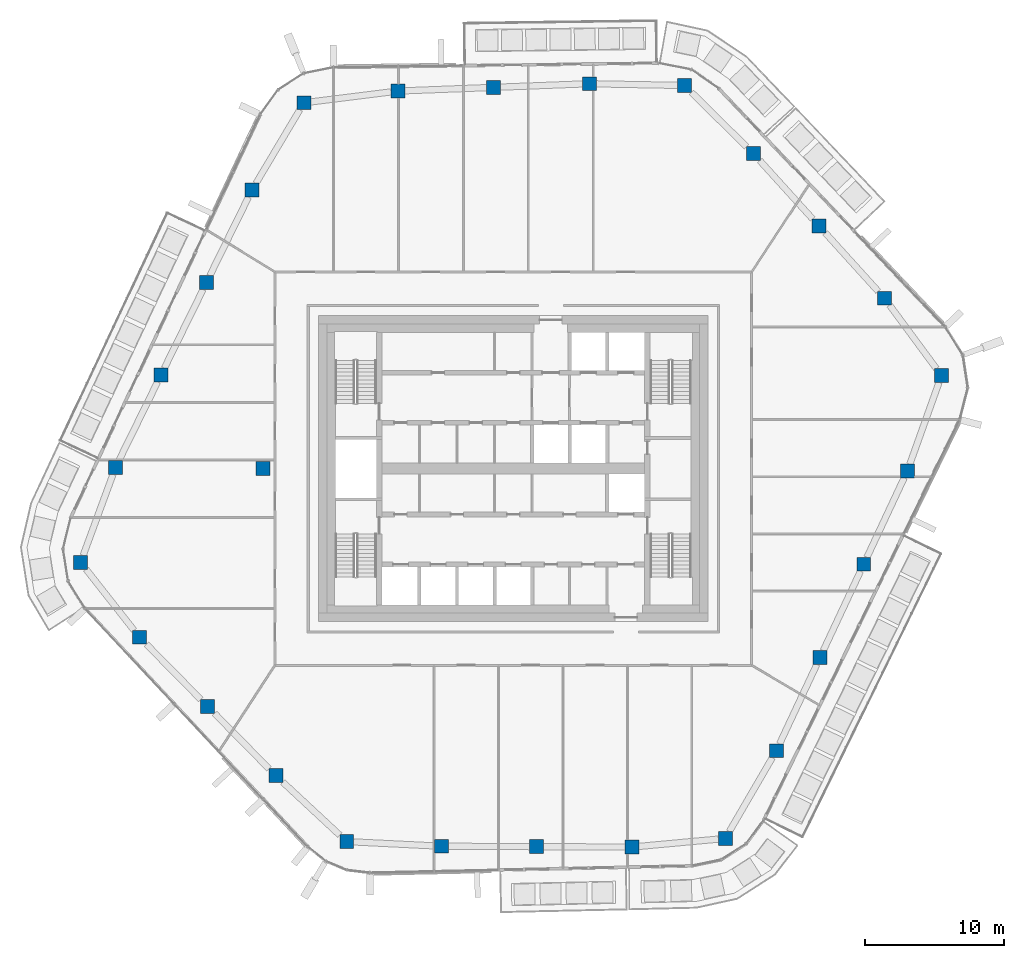
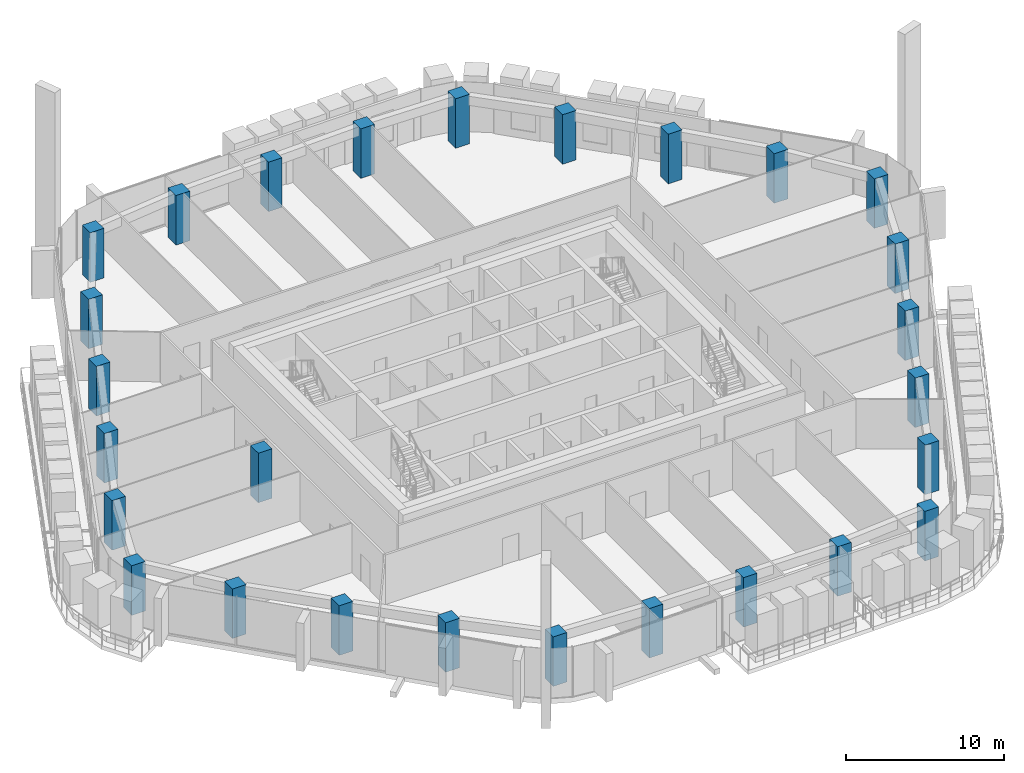
# One storey, part 1 of 24: 27 columns.
"""IFC4 building model written with IfcOpenShell, lengths in metres."""

import ifcopenshell
import ifcopenshell.guid

model = None  # the IFC model being written
_history = None  # IfcOwnerHistory: only IFC2X3 demands one
_inside = {}  # id of a spatial element -> (the spatial element, [elements in it])
_under = {}  # id of a project, library or spatial element -> (it, [spatial elements below it])
_declared = {}  # id of a project -> (the project, [libraries it declares])
_typed = {}  # id of a type object -> (the type object, [elements of that type])
_made_of = {}  # id of a material, layer set ... -> (it, [elements and type objects made of it])


def new_model(schema):
    """Start an empty IFC model of exactly this schema.

    Asked for "IFC4X3", IfcOpenShell would pick the latest addendum, in which some entities
    have other attributes; the version numbers below select the first issue.
    IFC2X3 requires an IfcOwnerHistory on every rooted entity: one is made here for all.
    """
    global model, _history
    if schema == "IFC4X3":
        model = ifcopenshell.file(schema_version=(4, 3, 0, 0))
    else:
        model = ifcopenshell.file(schema=schema)
    _inside.clear()
    _under.clear()
    _declared.clear()
    _typed.clear()
    _made_of.clear()
    _history = None
    if model.schema == "IFC2X3":
        org = make("IfcOrganization", Name="unknown")
        user = make(
            "IfcPersonAndOrganization",
            ThePerson=make("IfcPerson", FamilyName="unknown"),
            TheOrganization=org,
        )
        app = make(
            "IfcApplication",
            ApplicationDeveloper=org,
            Version="unknown",
            ApplicationFullName="unknown",
            ApplicationIdentifier="unknown",
        )
        _history = make(
            "IfcOwnerHistory",
            OwningUser=user,
            OwningApplication=app,
            ChangeAction="ADDED",
            CreationDate=0,
        )
    return model


def make(cls, **values):
    """One entity of the class cls with the attributes given. An attribute that is None is left unset."""
    return model.create_entity(
        cls, **{name: value for name, value in values.items() if value is not None}
    )


def rooted(cls, **values):
    """An entity with a GlobalId (a new one), such as an element, a storey or a relation."""
    return make(cls, GlobalId=ifcopenshell.guid.new(), OwnerHistory=_history, **values)


def si_unit(unit_type, name, prefix=None):
    """IfcSIUnit, for example si_unit("LENGTHUNIT", "METRE", prefix="MILLI")."""
    return make("IfcSIUnit", UnitType=unit_type, Prefix=prefix, Name=name)


def assignment(units):
    """IfcUnitAssignment: the units of a project."""
    return None if units is None else make("IfcUnitAssignment", Units=units)


def point(xyz):
    """IfcCartesianPoint."""
    return None if xyz is None else make("IfcCartesianPoint", Coordinates=xyz)


def direction(xyz):
    """IfcDirection."""
    return None if xyz is None else make("IfcDirection", DirectionRatios=xyz)


def frame(location, z_axis=None, x_axis=None):
    """IfcAxis2Placement3D, a coordinate frame: its origin and axes. An axis left out is left unset."""
    return make(
        "IfcAxis2Placement3D",
        Location=point(location),
        Axis=direction(z_axis),
        RefDirection=direction(x_axis),
    )


def frame_2d(location, x_axis=None):
    """IfcAxis2Placement2D, a coordinate frame in the plane: its origin and x axis."""
    return make(
        "IfcAxis2Placement2D", Location=point(location), RefDirection=direction(x_axis)
    )


def origin():
    """The frame at (0, 0, 0) with its axes left unset."""
    return frame((0.0, 0.0, 0.0))


def origin_2d():
    """The frame at (0, 0) in the plane with its x axis left unset."""
    return frame_2d((0.0, 0.0))


def place(relative_to, where):
    """IfcLocalPlacement: puts the frame where relative to a parent placement (None: the world)."""
    return make(
        "IfcLocalPlacement", PlacementRelTo=relative_to, RelativePlacement=where
    )


def context(
    kind, dimensions, precision=None, world=None, true_north=None, identifier=None
):
    """IfcGeometricRepresentationContext, for example the 3D "Model" context."""
    return make(
        "IfcGeometricRepresentationContext",
        ContextIdentifier=identifier,
        ContextType=kind,
        CoordinateSpaceDimension=dimensions,
        Precision=precision,
        WorldCoordinateSystem=world,
        TrueNorth=true_north,
    )


def subcontext(parent, identifier, kind, view, scale=None):
    """IfcGeometricRepresentationSubContext, for example "Body" below "Model"."""
    return make(
        "IfcGeometricRepresentationSubContext",
        ContextIdentifier=identifier,
        ContextType=kind,
        ParentContext=parent,
        TargetScale=scale,
        TargetView=view,
    )


def project(units=None, contexts=None):
    """IfcProject with its units and contexts."""
    return rooted(
        "IfcProject",
        Name="project",
        RepresentationContexts=contexts,
        UnitsInContext=assignment(units),
    )


def spatial(cls, under=None, at=None, **own):
    """A site, building, storey or space (cls), placed at a placement, below another one or the project."""
    s = rooted(cls, ObjectPlacement=at, **own)
    if under is not None:
        _under.setdefault(under.id(), (under, []))[1].append(s)
    return s


def profile(cls, at=None, kind="AREA", **sizes):
    """A parametric profile (cls). Its sizes go by their IFC names, for example OverallWidth=200.0."""
    return make(cls, ProfileType=kind, Position=at, **sizes)


def rectangle(**sizes):
    """IfcRectangleProfileDef."""
    return profile("IfcRectangleProfileDef", **sizes)


def extrude(swept, where, along, depth):
    """IfcExtrudedAreaSolid: the profile swept, set in the frame where, extruded along a direction by depth."""
    return make(
        "IfcExtrudedAreaSolid",
        SweptArea=swept,
        Position=where,
        ExtrudedDirection=direction(along),
        Depth=depth,
    )


def shape(context_of_items, identifier, shape_type, items):
    """IfcShapeRepresentation: the items that make up one representation, for example the "Body"."""
    return make(
        "IfcShapeRepresentation",
        ContextOfItems=context_of_items,
        RepresentationIdentifier=identifier,
        RepresentationType=shape_type,
        Items=items,
    )


def material(Name=None, Category=None):
    """IfcMaterial."""
    return make("IfcMaterial", Name=Name, Category=Category)


def material_profile(
    of_material, cross_section, Name=None, Category=None, Priority=None
):
    """IfcMaterialProfile: a cross section and its material."""
    return make(
        "IfcMaterialProfile",
        Name=Name,
        Material=of_material,
        Profile=cross_section,
        Priority=Priority,
        Category=Category,
    )


def profile_set(profiles, Name=None, composite=None):
    """IfcMaterialProfileSet."""
    return make(
        "IfcMaterialProfileSet",
        Name=Name,
        MaterialProfiles=profiles,
        CompositeProfile=composite,
    )


def made_of(thing, what):
    """Note that an element or type object is made of a material, layer set ...; save() writes the relation."""
    if what is not None:
        _made_of.setdefault(what.id(), (what, []))[1].append(thing)
    return thing


def type_object(cls, material=None, **own):
    """A type object (cls), such as IfcWallType, which elements share."""
    return made_of(rooted(cls, **own), material)


def element(
    cls,
    number,
    at=None,
    inside=None,
    cuts=None,
    type_object=None,
    material=None,
    context=None,
    identifier="Body",
    shape_type=None,
    held_by="IfcProductDefinitionShape",
    body=None,
    shapes=None,
    **own,
):
    """One element of the class cls, such as IfcWall. Its Tag is "e" and its number.

    at: its placement. inside: the storey or other place that contains it. cuts: it is an
    opening in that element (IfcRelVoidsElement). A single representation is given by context,
    identifier, shape_type and body (its items); several are given by shapes. held_by: the class
    of the entity that holds the representations. save() writes the other relations.
    """
    e = rooted(cls, Tag="e%d" % number, ObjectPlacement=at, **own)
    if body is not None:
        shapes = [shape(context, identifier, shape_type, body)]
    if shapes is not None:
        e.Representation = make(held_by, Representations=shapes)
    if inside is not None:
        _inside.setdefault(inside.id(), (inside, []))[1].append(e)
    if cuts is not None:
        rooted(
            "IfcRelVoidsElement", RelatingBuildingElement=cuts, RelatedOpeningElement=e
        )
    if type_object is not None:
        _typed.setdefault(type_object.id(), (type_object, []))[1].append(e)
    return made_of(e, material)


def aggregate(whole, parts):
    """IfcRelAggregates: a whole, such as a stair, and the parts it consists of."""
    return rooted("IfcRelAggregates", RelatingObject=whole, RelatedObjects=parts)


def save(model, path):
    """Write the relations noted so far, then the file.

    IfcRelAggregates (storeys below a building ...), IfcRelContainedInSpatialStructure (elements
    in a storey), IfcRelDefinesByType, IfcRelAssociatesMaterial and IfcRelDeclares: one each for
    every whole, place, type object, material and project.
    """
    for whole, parts in _under.values():
        aggregate(whole, parts)
    for where, things in _inside.values():
        rooted(
            "IfcRelContainedInSpatialStructure",
            RelatedElements=things,
            RelatingStructure=where,
        )
    for kind, things in _typed.values():
        rooted("IfcRelDefinesByType", RelatedObjects=things, RelatingType=kind)
    for what, things in _made_of.values():
        rooted("IfcRelAssociatesMaterial", RelatedObjects=things, RelatingMaterial=what)
    for by, libraries in _declared.values():
        rooted("IfcRelDeclares", RelatingContext=by, RelatedDefinitions=libraries)
    model.write(path)


model = new_model("IFC4")

# Units and contexts
model_context = context("Model", 3, precision=1e-05, world=origin(), true_north=direction((0.0, 1.0)))
body_context = subcontext(model_context, "Body", "Model", "MODEL_VIEW")
ifc_project = project(units=[si_unit("LENGTHUNIT", "METRE"), si_unit("AREAUNIT", "SQUARE_METRE"), si_unit("VOLUMEUNIT", "CUBIC_METRE"), si_unit("PLANEANGLEUNIT", "RADIAN"), si_unit("MASSUNIT", "GRAM", prefix="KILO")], contexts=[model_context])

# Site, building, storey
site_placement = place(None, origin())
site = spatial("IfcSite", under=ifc_project, at=site_placement, CompositionType="ELEMENT")
building_placement = place(site_placement, origin())
building = spatial("IfcBuilding", under=site, at=building_placement, Name="Dongbaek Canopy Tower", CompositionType="ELEMENT")
storey_placement = place(building_placement, frame((0.0, 0.0, 332.0)))
storey = spatial("IfcBuildingStorey", under=building, at=storey_placement, Name="L71", CompositionType="ELEMENT", Elevation=332.0)

# Columns
ifc_material = material(Name="Concrete C60", Category="concrete")
ifc_material_profile = material_profile(ifc_material, rectangle(XDim=1.0, YDim=1.0, at=origin_2d()), Name="RC COLUMN 1000x1000 C60")
ifc_profile_set = profile_set([ifc_material_profile], Name="Concrete C60")
column_type = type_object("IfcColumnType", Name="RC COLUMN 1000x1000 C60", PredefinedType="COLUMN", material=ifc_profile_set)
for number, where, z_axis, x_axis, name in (
    (1, (15.251953125, -26.60693359375, 0.0), (0.0, 0.0, 1.0), (1.0, 0.0, 0.0), "COL:CZ5-01:L71"),
    (2, (8.533935546875, -27.22705078125, 0.0), (0.0, 0.0, 1.0), (1.0, 0.0, 0.0), "COL:CZ5-02:L71"),
    (3, (1.68310546875, -27.197021484375, 0.0), (0.0, 0.0, 1.0), (1.0, 0.0, 0.0), "COL:CZ5-03:L71"),
    (4, (-5.166015625, -27.1669921875, 0.0), (0.0, 0.0, 1.0), (1.0, 0.0, 0.0), "COL:CZ5-04:L71"),
    (5, (-11.985107421875, -26.8310546875, 0.0), (0.0, 0.0, 1.0), (1.0, 0.0, 0.0), "COL:CZ5-05:L71"),
    (6, (-17.083984375, -22.089111328125, 0.0), (0.0, 0.0, 1.0), (1.0, 0.0, 0.0), "COL:CZ5-06:L71"),
    (7, (-21.986083984375, -17.112060546875, 0.0), (0.0, 0.0, 1.0), (1.0, 0.0, 0.0), "COL:CZ5-07:L71"),
    (8, (-26.888916015625, -12.134033203125, 0.0), (0.0, 0.0, 1.0), (1.0, 0.0, 0.0), "COL:CZ5-08:L71"),
    (9, (-31.12890625, -6.7451171875, 0.0), (0.0, 0.0, 1.0), (1.0, 0.0, 0.0), "COL:CZ5-09:L71"),
    (10, (-28.616943359375, 0.0859375, 0.0), (0.0, 0.0, 1.0), (1.0, 0.0, 0.0), "COL:CZ5-10:L71"),
    (11, (-25.346923828125, 6.735107421875, 0.0), (0.0, 0.0, 1.0), (1.0, 0.0, 0.0), "COL:CZ5-11:L71"),
    (12, (-22.075927734375, 13.384033203125, 0.0), (0.0, 0.0, 1.0), (1.0, 0.0, 0.0), "COL:CZ5-12:L71"),
    (13, (-18.805908203125, 20.031982421875, 0.0), (0.0, 0.0, 1.0), (1.0, 0.0, 0.0), "COL:CZ5-13:L71"),
    (14, (-15.06201171875, 26.321044921875, 0.0), (0.0, 0.0, 1.0), (1.0, 0.0, 0.0), "COL:CZ5-14:L71"),
    (15, (-8.30908203125, 27.1640625, 0.0), (0.0, 0.0, 1.0), (1.0, 0.0, 0.0), "COL:CZ5-15:L71"),
    (16, (-1.41796875, 27.427978515625, 0.0), (0.0, 0.0, 1.0), (1.0, 0.0, 0.0), "COL:CZ5-16:L71"),
    (17, (5.470947265625, 27.69189453125, 0.0), (0.0, 0.0, 1.0), (1.0, 0.0, 0.0), "COL:CZ5-17:L71"),
    (18, (12.31396484375, 27.56298828125, 0.0), (0.0, 0.0, 1.0), (1.0, 0.0, 0.0), "COL:CZ5-18:L71"),
    (19, (17.27587890625, 22.666015625, 0.0), (0.0, 0.0, 1.0), (1.0, 0.0, 0.0), "COL:CZ5-19:L71"),
    (20, (21.989990234375, 17.4619140625, 0.0), (0.0, 0.0, 1.0), (1.0, 0.0, 0.0), "COL:CZ5-20:L71"),
    (21, (26.702880859375, 12.257080078125, 0.0), (0.0, 0.0, 1.0), (1.0, 0.0, 0.0), "COL:CZ5-21:L71"),
    (22, (30.804931640625, 6.697998046875, 0.0), (0.0, 0.0, 1.0), (1.0, 0.0, 0.0), "COL:CZ5-22:L71"),
    (23, (28.35107421875, -0.169921875, 0.0), (0.0, 0.0, 1.0), (1.0, 0.0, 0.0), "COL:CZ5-23:L71"),
    (24, (25.2099609375, -6.87890625, 0.0), (0.0, 0.0, 1.0), (1.0, 0.0, 0.0), "COL:CZ5-24:L71"),
    (25, (22.068115234375, -13.587890625, 0.0), (0.0, 0.0, 1.0), (1.0, 0.0, 0.0), "COL:CZ5-25:L71"),
    (26, (18.925048828125, -20.2958984375, 0.0), (0.0, 0.0, 1.0), (1.0, 0.0, 0.0), "COL:CZ5-26:L71"),
    (27, (-18.0, 0.0, 0.0), (0.0, 0.0, 1.0), (1.0, 0.0, 0.0), "COL:CIZ5-01:L71"),
):
    element("IfcColumn", number, at=place(storey_placement, frame(where, z_axis=z_axis, x_axis=x_axis)), inside=storey, type_object=column_type, Name=name, PredefinedType="COLUMN", context=body_context, shape_type="SweptSolid", body=[
        extrude(rectangle(XDim=1.0, YDim=1.0, at=origin_2d()), origin(), (0.0, 0.0, 1.0), 3.820068359375),
    ])

save(model, "model.ifc")
